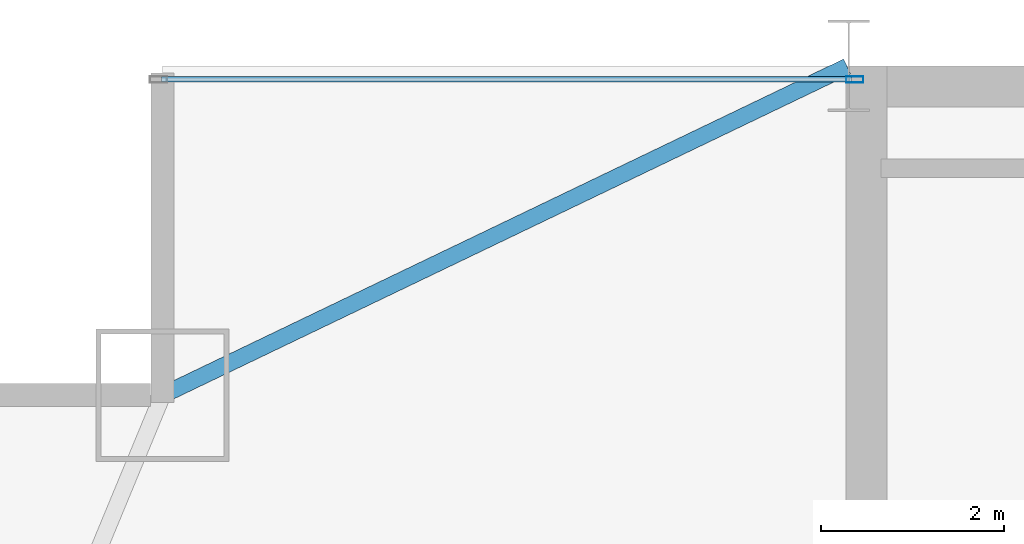
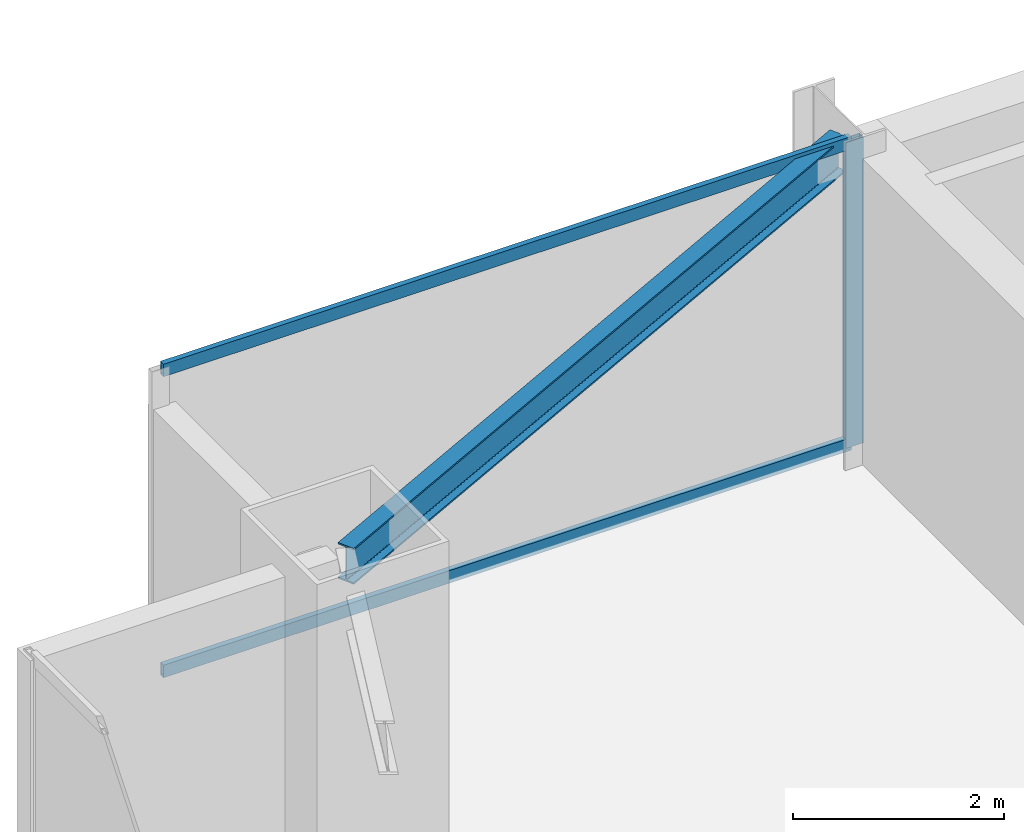
# One storey, part 22 of 30: 3 members, 1 beam, 1 element without a shape of its own.
"""IFC4 building model written with IfcOpenShell, lengths in metres."""

from ifc_helpers import new_model, si_unit, direction, frame, origin, origin_2d, place, context, subcontext, project, spatial, hollow_rectangle, i_section, extrude, source, transform, mapped, material, layer, layer_set, material_profile, profile_set, type_object, type_shapes, element, aggregate, save


model = new_model("IFC4")

# Units and contexts
model_context = context("Model", 3, precision=1e-05, world=origin(), true_north=direction((0.0, 1.0)))
body_context = subcontext(model_context, "Body", "Model", "MODEL_VIEW")
ifc_project = project(units=[si_unit("LENGTHUNIT", "METRE"), si_unit("AREAUNIT", "SQUARE_METRE"), si_unit("VOLUMEUNIT", "CUBIC_METRE"), si_unit("PLANEANGLEUNIT", "RADIAN"), si_unit("MASSUNIT", "GRAM", prefix="KILO")], contexts=[model_context])

# Site, building, storey
site_placement = place(None, origin())
site = spatial("IfcSite", under=ifc_project, at=site_placement, CompositionType="ELEMENT")
building_placement = place(site_placement, origin())
building = spatial("IfcBuilding", under=site, at=building_placement, Name="Varnel Quay Broadcast Tower", CompositionType="ELEMENT")
storey_placement = place(building_placement, frame((0.0, 0.0, 122.0)))
storey = spatial("IfcBuildingStorey", under=building, at=storey_placement, Name="L29", CompositionType="ELEMENT", Elevation=122.0)

# Beam
ifc_material_1 = material(Name="Structural Steel CSA G40.21 350W", Category="steel")
ifc_material_profile_1 = material_profile(ifc_material_1, i_section(OverallWidth=0.180908203125, OverallDepth=0.4169921875, WebThickness=0.010986328125, FlangeThickness=0.018310546875, FilletRadius=0.011962890625, at=origin_2d()), Name="W410X85")
ifc_profile_set_1 = profile_set([ifc_material_profile_1], Name="Structural Steel CSA G40.21 350W")
beam_type = type_object("IfcBeamType", Name="Beam_W410X85", PredefinedType="SPANDREL", material=ifc_profile_set_1)
shared_shape_1 = source(origin(), body_context, "Body", "SweptSolid", [
    extrude(i_section(OverallWidth=0.180908203125, OverallDepth=0.4169921875, WebThickness=0.010986328125, FlangeThickness=0.018310546875, FilletRadius=0.011962890625, at=origin_2d()), origin(), (0.0, 0.0, 1.0), 8.279296875),
])
type_shapes(beam_type, [shared_shape_1])
beam_placement = place(storey_placement, frame((8.117919921875, 43.208740234375, 3.341552734375), z_axis=(0.901535021024, 0.432706142626, 0.0), x_axis=(-0.432706142626, 0.901535021024, 0.0)))
element("IfcBeam", 1, at=beam_placement, inside=storey, type_object=beam_type, Name="L29 NW Tie Spandrel", PredefinedType="SPANDREL", context=body_context, shape_type="MappedRepresentation", body=[
    mapped(shared_shape_1, transform((0.0, 0.0, 0.0), x_axis=(1.0, 0.0, 0.0), y_axis=(0.0, 1.0, 0.0), z_axis=(0.0, 0.0, 1.0), scale=1.0)),
])

# Curtain wall, members
ifc_material_2 = material(Name="Anodised Bronze Aluminium 6063-T6", Category="aluminium")
ifc_layer = layer(ifc_material_2, 0.18994140625, Name="Anodised Bronze Aluminium 6063-T6")
ifc_layer_set = layer_set([ifc_layer], Name="Anodised Bronze Aluminium 6063-T6")
curtain_wall_type = type_object("IfcCurtainWallType", Name="CW_LowerTower", PredefinedType="NOTDEFINED", material=ifc_layer_set)
curtain_wall_placement = place(storey_placement, origin())
curtain_wall = element("IfcCurtainWall", 2, at=curtain_wall_placement, inside=storey, type_object=curtain_wall_type, Name="L29 NW Wing Curtain Wall", PredefinedType="NOTDEFINED")
ifc_material_profile_2 = material_profile(ifc_material_2, hollow_rectangle(XDim=0.070068359375, YDim=0.18994140625, WallThickness=0.00390625, at=origin_2d()), Name="ALU70X190X4")
ifc_profile_set_2 = profile_set([ifc_material_profile_2], Name="Anodised Bronze Aluminium 6063-T6")
member_type_1 = type_object("IfcMemberType", Name="Mull_CWS-02", PredefinedType="MULLION", material=ifc_profile_set_2)
shared_shape_2 = source(origin(), body_context, "Body", "SweptSolid", [
    extrude(hollow_rectangle(XDim=0.070068359375, YDim=0.18994140625, WallThickness=0.00390625, at=origin_2d()), origin(), (0.0, 0.0, 1.0), 3.550048828125),
])
type_shapes(member_type_1, [shared_shape_2])
member_1_placement = place(storey_placement, frame((15.6650390625, 46.64990234375, 0.0), z_axis=(0.0, 0.0, 1.0), x_axis=(0.0, 1.0, 0.0)))
member_1 = element("IfcMember", 3, at=member_1_placement, type_object=member_type_1, Name="CWS-02 mullion 2", PredefinedType="MULLION", context=body_context, shape_type="MappedRepresentation", body=[
    mapped(shared_shape_2, transform((0.0, 0.0, 0.0), x_axis=(1.0, 0.0, 0.0), y_axis=(0.0, 1.0, 0.0), z_axis=(0.0, 0.0, 1.0), scale=1.0)),
])
ifc_material_profile_3 = material_profile(ifc_material_2, hollow_rectangle(XDim=0.06005859375, YDim=0.14501953125, WallThickness=0.00341796875, at=origin_2d()), Name="ALU60X145X3.5")
ifc_profile_set_3 = profile_set([ifc_material_profile_3], Name="Anodised Bronze Aluminium 6063-T6")
member_type_2 = type_object("IfcMemberType", Name="Tran_CWS-02", PredefinedType="USERDEFINED", material=ifc_profile_set_3)
shared_shape_3 = source(origin(), body_context, "Body", "SweptSolid", [
    extrude(hollow_rectangle(XDim=0.06005859375, YDim=0.14501953125, WallThickness=0.00341796875, at=origin_2d()), origin(), (0.0, 0.0, 1.0), 7.539794921875),
])
type_shapes(member_type_2, [shared_shape_3])
member_2_placement = place(storey_placement, frame((8.090087890625, 46.64990234375, 0.030029296875), z_axis=(1.0, 0.0, 0.0), x_axis=(0.0, 1.0, 0.0)))
member_2 = element("IfcMember", 4, at=member_2_placement, type_object=member_type_2, Name="CWS-02 transom 1.1", ObjectType="TRANSOM", PredefinedType="USERDEFINED", context=body_context, shape_type="MappedRepresentation", body=[
    mapped(shared_shape_3, transform((0.0, 0.0, 0.0), x_axis=(1.0, 0.0, 0.0), y_axis=(0.0, 1.0, 0.0), z_axis=(0.0, 0.0, 1.0), scale=1.0)),
])
member_3_placement = place(storey_placement, frame((8.090087890625, 46.64990234375, 3.52001953125), z_axis=(1.0, 0.0, 0.0), x_axis=(0.0, 1.0, 0.0)))
member_3 = element("IfcMember", 5, at=member_3_placement, type_object=member_type_2, Name="CWS-02 transom 1.2", ObjectType="TRANSOM", PredefinedType="USERDEFINED", context=body_context, shape_type="MappedRepresentation", body=[
    mapped(shared_shape_3, transform((0.0, 0.0, 0.0), x_axis=(1.0, 0.0, 0.0), y_axis=(0.0, 1.0, 0.0), z_axis=(0.0, 0.0, 1.0), scale=1.0)),
])
aggregate(curtain_wall, [member_1, member_2, member_3])

save(model, "model.ifc")
